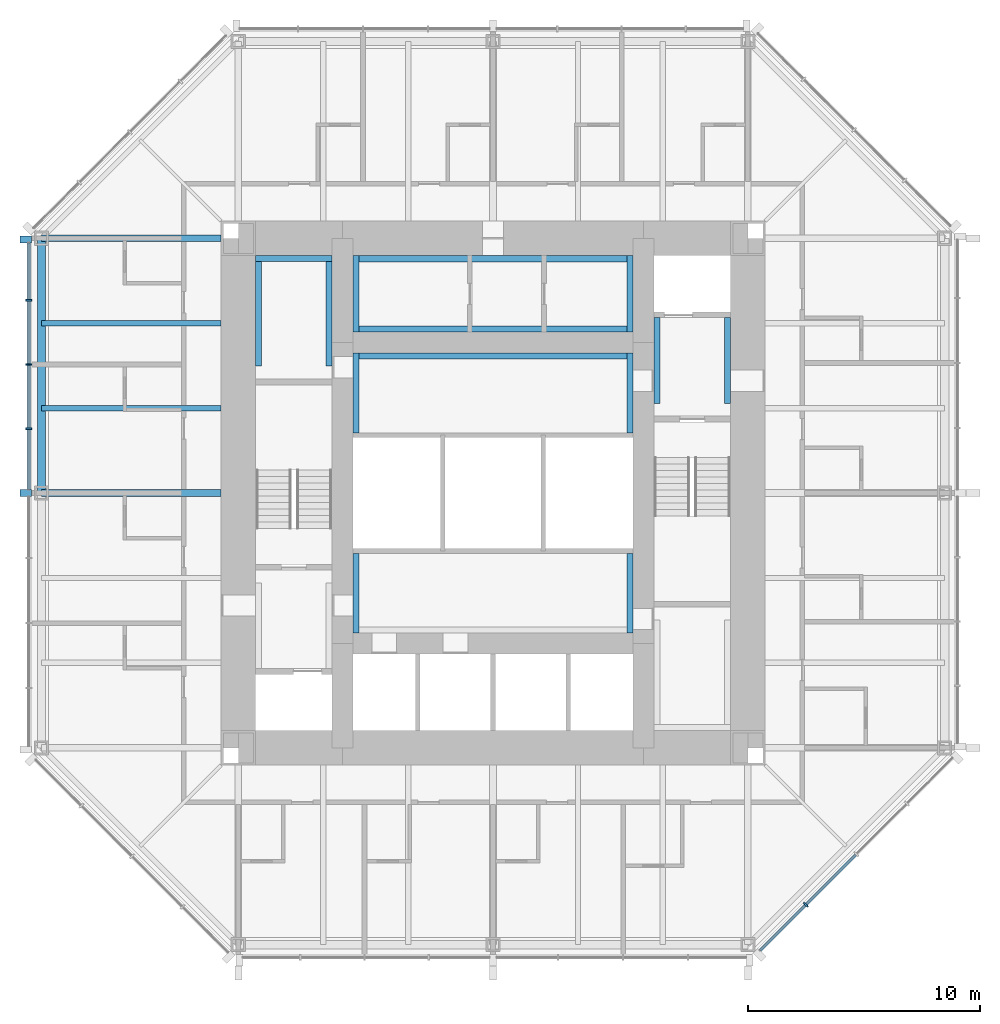
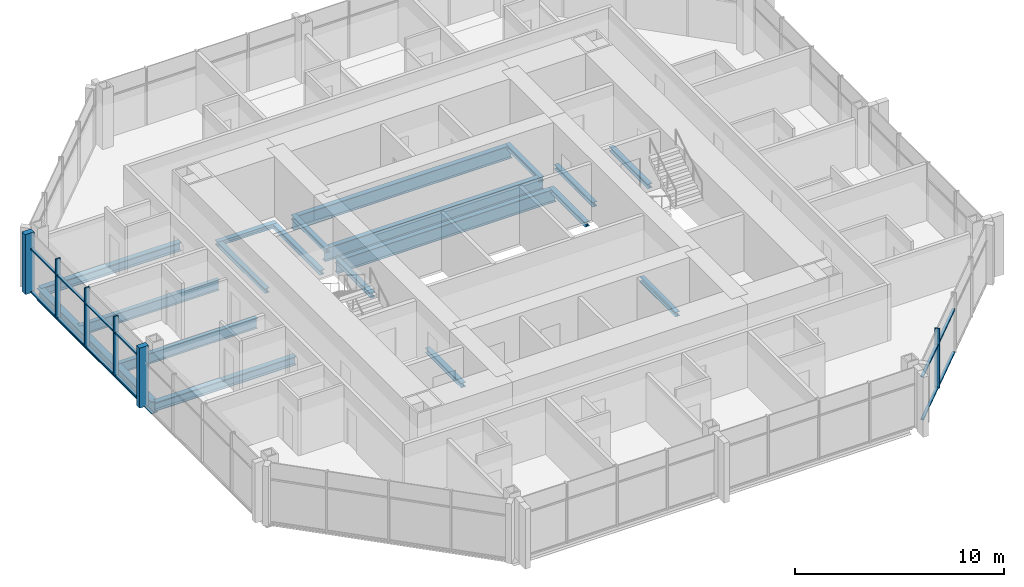
# One storey, part 3 of 12: 19 beams, 18 members, 2 elements without a shape of their own.
"""IFC4 building model written with IfcOpenShell, lengths in metres."""

from ifc_helpers import new_model, si_unit, direction, frame, origin, origin_2d, place, context, subcontext, project, spatial, rectangle, i_section, extrude, material, material_profile, profile_set, type_object, element, aggregate, save


model = new_model("IFC4")

# Units and contexts
model_context = context("Model", 3, precision=1e-05, world=origin(), true_north=direction((0.0, 1.0)))
body_context = subcontext(model_context, "Body", "Model", "MODEL_VIEW")
ifc_project = project(units=[si_unit("LENGTHUNIT", "METRE"), si_unit("AREAUNIT", "SQUARE_METRE"), si_unit("VOLUMEUNIT", "CUBIC_METRE"), si_unit("PLANEANGLEUNIT", "RADIAN"), si_unit("MASSUNIT", "GRAM", prefix="KILO")], contexts=[model_context])

# Site, building, storey
site_placement = place(None, origin())
site = spatial("IfcSite", under=ifc_project, at=site_placement, CompositionType="ELEMENT")
building_placement = place(site_placement, origin())
building = spatial("IfcBuilding", under=site, at=building_placement, Name="Trevanion Tower", CompositionType="ELEMENT")
storey_placement = place(building_placement, frame((0.0, 0.0, 190.699951171875)))
storey = spatial("IfcBuildingStorey", under=building, at=storey_placement, Name="L44", CompositionType="ELEMENT", Elevation=190.699951171875)

# Beams
ifc_material_1 = material(Name="Steel ASTM A992 Grade 50", Category="steel")
ifc_material_profile_1 = material_profile(ifc_material_1, i_section(OverallWidth=0.228271484375, OverallDepth=0.607177734375, WebThickness=0.01123046875, FlangeThickness=0.017333984375, at=origin_2d()), Name="W24X76")
ifc_profile_set_1 = profile_set([ifc_material_profile_1], Name="Steel ASTM A992 Grade 50")
beam_type_1 = type_object("IfcBeamType", Name="B11 W24X76", PredefinedType="BEAM", material=ifc_profile_set_1)
for number, where, z_axis, x_axis, name in (
    (1, (-11.75, 7.333251953125, -0.493408203125), (-1.0, 0.0, 0.0), (0.0, -1.0, 0.0), "B11 L44"),
    (2, (-11.75, 3.666748046875, -0.493408203125), (-1.0, 0.0, 0.0), (0.0, -1.0, 0.0), "B11 L44"),
):
    element("IfcBeam", number, at=place(storey_placement, frame(where, z_axis=z_axis, x_axis=x_axis)), inside=storey, type_object=beam_type_1, Name=name, PredefinedType="BEAM", context=body_context, shape_type="SweptSolid", body=[
        extrude(i_section(OverallWidth=0.228271484375, OverallDepth=0.607177734375, WebThickness=0.01123046875, FlangeThickness=0.017333984375, at=origin_2d()), origin(), (0.0, 0.0, 1.0), 7.75),
    ])

# Curtain wall, members
ifc_material_2 = material(Name="Aluminium and glass", Category="aluminium")
curtain_wall_type = type_object("IfcCurtainWallType", Name="CW3 curtain wall", PredefinedType="USERDEFINED", material=ifc_material_2)
curtain_wall_1_placement = place(storey_placement, origin())
curtain_wall_1 = element("IfcCurtainWall", 3, at=curtain_wall_1_placement, inside=storey, type_object=curtain_wall_type, Name="CW3 L44 4", ObjectType="UNITISED CURTAIN WALL", PredefinedType="USERDEFINED")
ifc_material_3 = material(Name="Aluminium extrusion, anodised bronze", Category="aluminium")
ifc_material_profile_2 = material_profile(ifc_material_3, rectangle(XDim=0.074951171875, YDim=0.25, at=origin_2d()), Name="CW3 mullion")
ifc_profile_set_2 = profile_set([ifc_material_profile_2], Name="Aluminium extrusion, anodised bronze")
member_type_1 = type_object("IfcMemberType", Name="CW3 mullion", PredefinedType="MULLION", material=ifc_profile_set_2)
member_1_placement = place(storey_placement, frame((-20.050048828125, 8.323486328125, -0.18994140625), z_axis=(0.0, 0.0, 1.0), x_axis=(0.0, -1.0, 0.0)))
member_1 = element("IfcMember", 4, at=member_1_placement, type_object=member_type_1, Name="CW3 mullion 2", PredefinedType="MULLION", context=body_context, shape_type="SweptSolid", body=[
    extrude(rectangle(XDim=0.074951171875, YDim=0.25, at=origin_2d()), origin(), (0.0, 0.0, 1.0), 3.5),
])
member_2_placement = place(storey_placement, frame((-20.050048828125, 5.548828125, -0.18994140625), z_axis=(0.0, 0.0, 1.0), x_axis=(0.0, -1.0, 0.0)))
member_2 = element("IfcMember", 5, at=member_2_placement, type_object=member_type_1, Name="CW3 mullion 3", PredefinedType="MULLION", context=body_context, shape_type="SweptSolid", body=[
    extrude(rectangle(XDim=0.074951171875, YDim=0.25, at=origin_2d()), origin(), (0.0, 0.0, 1.0), 3.5),
])
member_3_placement = place(storey_placement, frame((-20.050048828125, 2.7744140625, -0.18994140625), z_axis=(0.0, 0.0, 1.0), x_axis=(0.0, -1.0, 0.0)))
member_3 = element("IfcMember", 6, at=member_3_placement, type_object=member_type_1, Name="CW3 mullion 4", PredefinedType="MULLION", context=body_context, shape_type="SweptSolid", body=[
    extrude(rectangle(XDim=0.074951171875, YDim=0.25, at=origin_2d()), origin(), (0.0, 0.0, 1.0), 3.5),
])

# Curtain wall, member
curtain_wall_2_placement = place(storey_placement, origin())
curtain_wall_2 = element("IfcCurtainWall", 7, at=curtain_wall_2_placement, inside=storey, type_object=curtain_wall_type, Name="CW3 L44 7", ObjectType="UNITISED CURTAIN WALL", PredefinedType="USERDEFINED")
member_4_placement = place(storey_placement, frame((13.502197265625, -17.775390625, -0.18994140625), z_axis=(0.0, 0.0, 1.0), x_axis=(0.707106781187, 0.707106781187, 0.0)))
member_4 = element("IfcMember", 8, at=member_4_placement, type_object=member_type_1, Name="CW3 mullion 2", PredefinedType="MULLION", context=body_context, shape_type="SweptSolid", body=[
    extrude(rectangle(XDim=0.074951171875, YDim=0.25, at=origin_2d()), origin(), (0.0, 0.0, 1.0), 3.5),
])

# Member
ifc_material_4 = material(Name="Aluminium extrusion, anodised bronze", Category="aluminium")
ifc_material_profile_3 = material_profile(ifc_material_4, rectangle(XDim=0.300048828125, YDim=0.5, at=origin_2d()), Name="CW3 pier mullion")
ifc_profile_set_3 = profile_set([ifc_material_profile_3], Name="Aluminium extrusion, anodised bronze")
member_type_2 = type_object("IfcMemberType", Name="CW3 pier mullion", PredefinedType="MULLION", material=ifc_profile_set_3)
member_5_placement = place(storey_placement, frame((-20.175048828125, 10.94775390625, -0.18994140625), z_axis=(0.0, 0.0, 1.0), x_axis=(0.0, -1.0, 0.0)))
member_5 = element("IfcMember", 9, at=member_5_placement, type_object=member_type_2, Name="CW3 pier mullion 1", PredefinedType="MULLION", context=body_context, shape_type="SweptSolid", body=[
    extrude(rectangle(XDim=0.300048828125, YDim=0.5, at=origin_2d()), origin(), (0.0, 0.0, 1.0), 3.5),
])

member_6_placement = place(storey_placement, frame((-20.175048828125, 0.0, -0.18994140625), z_axis=(0.0, 0.0, 1.0), x_axis=(0.0, -1.0, 0.0)))
member_6 = element("IfcMember", 10, at=member_6_placement, type_object=member_type_2, Name="CW3 pier mullion 5", PredefinedType="MULLION", context=body_context, shape_type="SweptSolid", body=[
    extrude(rectangle(XDim=0.300048828125, YDim=0.5, at=origin_2d()), origin(), (0.0, 0.0, 1.0), 3.5),
])

ifc_material_5 = material(Name="Aluminium extrusion, anodised bronze", Category="aluminium")
ifc_material_profile_4 = material_profile(ifc_material_5, rectangle(XDim=0.14990234375, YDim=0.074951171875, at=origin_2d()), Name="CW3 transom")
ifc_profile_set_4 = profile_set([ifc_material_profile_4], Name="Aluminium extrusion, anodised bronze")
member_type_3 = type_object("IfcMemberType", Name="CW3 transom", PredefinedType="USERDEFINED", material=ifc_profile_set_4)
member_7_placement = place(storey_placement, frame((-20.050048828125, 10.7978515625, -0.15234375), z_axis=(0.0, -1.0, 0.0), x_axis=(1.0, 0.0, 0.0)))
member_7 = element("IfcMember", 11, at=member_7_placement, type_object=member_type_3, Name="CW3 transom 1.1", ObjectType="TRANSOM", PredefinedType="USERDEFINED", context=body_context, shape_type="SweptSolid", body=[
    extrude(rectangle(XDim=0.14990234375, YDim=0.074951171875, at=origin_2d()), origin(), (0.0, 0.0, 1.0), 2.43701171875),
])

member_8_placement = place(storey_placement, frame((-20.050048828125, 10.7978515625, 2.360107421875), z_axis=(0.0, -1.0, 0.0), x_axis=(1.0, 0.0, 0.0)))
member_8 = element("IfcMember", 12, at=member_8_placement, type_object=member_type_3, Name="CW3 transom 1.2", ObjectType="TRANSOM", PredefinedType="USERDEFINED", context=body_context, shape_type="SweptSolid", body=[
    extrude(rectangle(XDim=0.14990234375, YDim=0.074951171875, at=origin_2d()), origin(), (0.0, 0.0, 1.0), 2.43701171875),
])

member_9_placement = place(storey_placement, frame((-20.050048828125, 8.285888671875, -0.15234375), z_axis=(0.0, -1.0, 0.0), x_axis=(1.0, 0.0, 0.0)))
member_9 = element("IfcMember", 13, at=member_9_placement, type_object=member_type_3, Name="CW3 transom 2.1", ObjectType="TRANSOM", PredefinedType="USERDEFINED", context=body_context, shape_type="SweptSolid", body=[
    extrude(rectangle(XDim=0.14990234375, YDim=0.074951171875, at=origin_2d()), origin(), (0.0, 0.0, 1.0), 2.699462890625),
])

member_10_placement = place(storey_placement, frame((-20.050048828125, 8.285888671875, 2.360107421875), z_axis=(0.0, -1.0, 0.0), x_axis=(1.0, 0.0, 0.0)))
member_10 = element("IfcMember", 14, at=member_10_placement, type_object=member_type_3, Name="CW3 transom 2.2", ObjectType="TRANSOM", PredefinedType="USERDEFINED", context=body_context, shape_type="SweptSolid", body=[
    extrude(rectangle(XDim=0.14990234375, YDim=0.074951171875, at=origin_2d()), origin(), (0.0, 0.0, 1.0), 2.699462890625),
])

member_11_placement = place(storey_placement, frame((-20.050048828125, 5.511474609375, -0.15234375), z_axis=(0.0, -1.0, 0.0), x_axis=(1.0, 0.0, 0.0)))
member_11 = element("IfcMember", 15, at=member_11_placement, type_object=member_type_3, Name="CW3 transom 3.1", ObjectType="TRANSOM", PredefinedType="USERDEFINED", context=body_context, shape_type="SweptSolid", body=[
    extrude(rectangle(XDim=0.14990234375, YDim=0.074951171875, at=origin_2d()), origin(), (0.0, 0.0, 1.0), 2.699462890625),
])

member_12_placement = place(storey_placement, frame((-20.050048828125, 5.511474609375, 2.360107421875), z_axis=(0.0, -1.0, 0.0), x_axis=(1.0, 0.0, 0.0)))
member_12 = element("IfcMember", 16, at=member_12_placement, type_object=member_type_3, Name="CW3 transom 3.2", ObjectType="TRANSOM", PredefinedType="USERDEFINED", context=body_context, shape_type="SweptSolid", body=[
    extrude(rectangle(XDim=0.14990234375, YDim=0.074951171875, at=origin_2d()), origin(), (0.0, 0.0, 1.0), 2.699462890625),
])

member_13_placement = place(storey_placement, frame((-20.050048828125, 2.737060546875, -0.15234375), z_axis=(0.0, -1.0, 0.0), x_axis=(1.0, 0.0, 0.0)))
member_13 = element("IfcMember", 17, at=member_13_placement, type_object=member_type_3, Name="CW3 transom 4.1", ObjectType="TRANSOM", PredefinedType="USERDEFINED", context=body_context, shape_type="SweptSolid", body=[
    extrude(rectangle(XDim=0.14990234375, YDim=0.074951171875, at=origin_2d()), origin(), (0.0, 0.0, 1.0), 2.587158203125),
])

member_14_placement = place(storey_placement, frame((-20.050048828125, 2.737060546875, 2.360107421875), z_axis=(0.0, -1.0, 0.0), x_axis=(1.0, 0.0, 0.0)))
member_14 = element("IfcMember", 18, at=member_14_placement, type_object=member_type_3, Name="CW3 transom 4.2", ObjectType="TRANSOM", PredefinedType="USERDEFINED", context=body_context, shape_type="SweptSolid", body=[
    extrude(rectangle(XDim=0.14990234375, YDim=0.074951171875, at=origin_2d()), origin(), (0.0, 0.0, 1.0), 2.587158203125),
])

aggregate(curtain_wall_1, [member_5, member_1, member_2, member_3, member_6, member_7, member_8, member_9, member_10, member_11, member_12, member_13, member_14])

member_15_placement = place(storey_placement, frame((11.531982421875, -19.745849609375, -0.15234375), z_axis=(0.707106781187, 0.707106781187, 0.0), x_axis=(-0.707106781187, 0.707106781187, 0.0)))
member_15 = element("IfcMember", 19, at=member_15_placement, type_object=member_type_3, Name="CW3 transom 1.1", ObjectType="TRANSOM", PredefinedType="USERDEFINED", context=body_context, shape_type="SweptSolid", body=[
    extrude(rectangle(XDim=0.14990234375, YDim=0.074951171875, at=origin_2d()), origin(), (0.0, 0.0, 1.0), 2.7490234375),
])

member_16_placement = place(storey_placement, frame((11.531982421875, -19.745849609375, 2.360107421875), z_axis=(0.707106781187, 0.707106781187, 0.0), x_axis=(-0.707106781187, 0.707106781187, 0.0)))
member_16 = element("IfcMember", 20, at=member_16_placement, type_object=member_type_3, Name="CW3 transom 1.2", ObjectType="TRANSOM", PredefinedType="USERDEFINED", context=body_context, shape_type="SweptSolid", body=[
    extrude(rectangle(XDim=0.14990234375, YDim=0.074951171875, at=origin_2d()), origin(), (0.0, 0.0, 1.0), 2.7490234375),
])

member_17_placement = place(storey_placement, frame((13.52880859375, -17.7490234375, -0.15234375), z_axis=(0.707106781187, 0.707106781187, 0.0), x_axis=(-0.707106781187, 0.707106781187, 0.0)))
member_17 = element("IfcMember", 21, at=member_17_placement, type_object=member_type_3, Name="CW3 transom 2.1", ObjectType="TRANSOM", PredefinedType="USERDEFINED", context=body_context, shape_type="SweptSolid", body=[
    extrude(rectangle(XDim=0.14990234375, YDim=0.074951171875, at=origin_2d()), origin(), (0.0, 0.0, 1.0), 3.01171875),
])

member_18_placement = place(storey_placement, frame((13.52880859375, -17.7490234375, 2.360107421875), z_axis=(0.707106781187, 0.707106781187, 0.0), x_axis=(-0.707106781187, 0.707106781187, 0.0)))
member_18 = element("IfcMember", 22, at=member_18_placement, type_object=member_type_3, Name="CW3 transom 2.2", ObjectType="TRANSOM", PredefinedType="USERDEFINED", context=body_context, shape_type="SweptSolid", body=[
    extrude(rectangle(XDim=0.14990234375, YDim=0.074951171875, at=origin_2d()), origin(), (0.0, 0.0, 1.0), 3.01171875),
])

aggregate(curtain_wall_2, [member_4, member_15, member_16, member_17, member_18])

# Beams
ifc_material_6 = material(Name="Steel ASTM A992 Grade 50", Category="steel")
ifc_material_profile_5 = material_profile(ifc_material_6, i_section(OverallWidth=0.28955078125, OverallDepth=0.508056640625, WebThickness=0.022705078125, FlangeThickness=0.040283203125, at=origin_2d()), Name="W18X175")
ifc_profile_set_5 = profile_set([ifc_material_profile_5], Name="Steel ASTM A992 Grade 50")
beam_type_2 = type_object("IfcBeamType", Name="G6 W18X175", PredefinedType="BEAM", material=ifc_profile_set_5)
for number, where, z_axis, x_axis, name in (
    (23, (-11.75, 11.0, -0.44384765625), (-1.0, 0.0, 0.0), (0.0, -1.0, 0.0), "G6 L44"),
    (24, (-11.75, 0.0, -0.44384765625), (-1.0, 0.0, 0.0), (0.0, -1.0, 0.0), "G6 L44"),
):
    element("IfcBeam", number, at=place(storey_placement, frame(where, z_axis=z_axis, x_axis=x_axis)), inside=storey, type_object=beam_type_2, Name=name, PredefinedType="BEAM", context=body_context, shape_type="SweptSolid", body=[
        extrude(i_section(OverallWidth=0.28955078125, OverallDepth=0.508056640625, WebThickness=0.022705078125, FlangeThickness=0.040283203125, at=origin_2d()), origin(), (0.0, 0.0, 1.0), 7.75),
    ])
ifc_material_7 = material(Name="Steel ASTM A992 Grade 50", Category="steel")
ifc_material_profile_6 = material_profile(ifc_material_7, i_section(OverallWidth=0.256591796875, OverallDepth=0.26416015625, WebThickness=0.011962890625, FlangeThickness=0.01953125, at=origin_2d()), Name="W10X68")
ifc_profile_set_6 = profile_set([ifc_material_profile_6], Name="Steel ASTM A992 Grade 50")
beam_type_3 = type_object("IfcBeamType", Name="LB1 W10X68", PredefinedType="BEAM", material=ifc_profile_set_6)
for number, where, z_axis, x_axis, name in (
    (25, (-5.921630859375, 2.60009765625, -0.33203125), (0.0, 1.0, 0.0), (-1.0, 0.0, 0.0), "LB1 L44"),
    (26, (5.921630859375, 2.60009765625, -0.33203125), (0.0, 1.0, 0.0), (-1.0, 0.0, 0.0), "LB1 L44"),
    (27, (-5.921630859375, -6.050048828125, -0.33203125), (0.0, 1.0, 0.0), (-1.0, 0.0, 0.0), "LB1 L44"),
    (28, (5.921630859375, -6.050048828125, -0.33203125), (0.0, 1.0, 0.0), (-1.0, 0.0, 0.0), "LB1 L44"),
):
    element("IfcBeam", number, at=place(storey_placement, frame(where, z_axis=z_axis, x_axis=x_axis)), inside=storey, type_object=beam_type_3, Name=name, PredefinedType="BEAM", context=body_context, shape_type="SweptSolid", body=[
        extrude(i_section(OverallWidth=0.256591796875, OverallDepth=0.26416015625, WebThickness=0.011962890625, FlangeThickness=0.01953125, at=origin_2d()), origin(), (0.0, 0.0, 1.0), 3.449951171875),
    ])
for number, where, z_axis, x_axis, name in (
    (29, (7.078369140625, 3.875, -0.33203125), (0.0, 1.0, 0.0), (-1.0, 0.0, 0.0), "LB1 L44"),
    (30, (10.12158203125, 3.875, -0.33203125), (0.0, 1.0, 0.0), (-1.0, 0.0, 0.0), "LB1 L44"),
):
    element("IfcBeam", number, at=place(storey_placement, frame(where, z_axis=z_axis, x_axis=x_axis)), inside=storey, type_object=beam_type_3, Name=name, PredefinedType="BEAM", context=body_context, shape_type="SweptSolid", body=[
        extrude(i_section(OverallWidth=0.256591796875, OverallDepth=0.26416015625, WebThickness=0.011962890625, FlangeThickness=0.01953125, at=origin_2d()), origin(), (0.0, 0.0, 1.0), 3.699951171875),
    ])
for number, where, z_axis, x_axis, name in (
    (31, (-10.12158203125, 5.47509765625, -0.33203125), (0.0, 1.0, 0.0), (-1.0, 0.0, 0.0), "LB1 L44"),
    (32, (-7.078369140625, 5.47509765625, -0.33203125), (0.0, 1.0, 0.0), (-1.0, 0.0, 0.0), "LB1 L44"),
):
    element("IfcBeam", number, at=place(storey_placement, frame(where, z_axis=z_axis, x_axis=x_axis)), inside=storey, type_object=beam_type_3, Name=name, PredefinedType="BEAM", context=body_context, shape_type="SweptSolid", body=[
        extrude(i_section(OverallWidth=0.256591796875, OverallDepth=0.26416015625, WebThickness=0.011962890625, FlangeThickness=0.01953125, at=origin_2d()), origin(), (0.0, 0.0, 1.0), 4.77490234375),
    ])
for number, where, z_axis, x_axis, name in (
    (33, (-10.25, 10.12158203125, -0.33203125), (1.0, 0.0, 0.0), (0.0, 1.0, 0.0), "LB1 L44"),
    (34, (-5.921630859375, 6.949951171875, -0.33203125), (0.0, 1.0, 0.0), (-1.0, 0.0, 0.0), "LB1 L44"),
    (35, (5.921630859375, 6.949951171875, -0.33203125), (0.0, 1.0, 0.0), (-1.0, 0.0, 0.0), "LB1 L44"),
):
    element("IfcBeam", number, at=place(storey_placement, frame(where, z_axis=z_axis, x_axis=x_axis)), inside=storey, type_object=beam_type_3, Name=name, PredefinedType="BEAM", context=body_context, shape_type="SweptSolid", body=[
        extrude(i_section(OverallWidth=0.256591796875, OverallDepth=0.26416015625, WebThickness=0.011962890625, FlangeThickness=0.01953125, at=origin_2d()), origin(), (0.0, 0.0, 1.0), 3.300048828125),
    ])
ifc_material_8 = material(Name="Steel ASTM A992 Grade 50", Category="steel")
ifc_material_profile_7 = material_profile(ifc_material_8, i_section(OverallWidth=0.2666015625, OverallDepth=0.76953125, WebThickness=0.015625, FlangeThickness=0.025390625, at=origin_2d()), Name="W30X132")
ifc_profile_set_7 = profile_set([ifc_material_profile_7], Name="Steel ASTM A992 Grade 50")
beam_type_4 = type_object("IfcBeamType", Name="LB3 W30X132", PredefinedType="BEAM", material=ifc_profile_set_7)
for number, where, z_axis, x_axis, name in (
    (36, (-6.050048828125, 5.91650390625, -0.584716796875), (1.0, 0.0, 0.0), (0.0, 1.0, 0.0), "LB3 L44"),
    (37, (-6.050048828125, 7.08349609375, -0.584716796875), (1.0, 0.0, 0.0), (0.0, 1.0, 0.0), "LB3 L44"),
    (38, (-6.050048828125, 10.11669921875, -0.584716796875), (1.0, 0.0, 0.0), (0.0, 1.0, 0.0), "LB3 L44"),
):
    element("IfcBeam", number, at=place(storey_placement, frame(where, z_axis=z_axis, x_axis=x_axis)), inside=storey, type_object=beam_type_4, Name=name, PredefinedType="BEAM", context=body_context, shape_type="SweptSolid", body=[
        extrude(i_section(OverallWidth=0.2666015625, OverallDepth=0.76953125, WebThickness=0.015625, FlangeThickness=0.025390625, at=origin_2d()), origin(), (0.0, 0.0, 1.0), 12.10009765625),
    ])
ifc_material_9 = material(Name="Steel ASTM A992 Grade 50", Category="steel")
ifc_material_profile_8 = material_profile(ifc_material_9, i_section(OverallWidth=0.355712890625, OverallDepth=0.696044921875, WebThickness=0.015380859375, FlangeThickness=0.024658203125, at=origin_2d()), Name="W27X146")
ifc_profile_set_8 = profile_set([ifc_material_profile_8], Name="Steel ASTM A992 Grade 50")
beam_type_5 = type_object("IfcBeamType", Name="SB8 W27X146", PredefinedType="SPANDREL", material=ifc_profile_set_8)
beam_placement = place(storey_placement, frame((-19.5, 11.0, -0.537841796875), z_axis=(0.0, -1.0, 0.0), x_axis=(1.0, 0.0, 0.0)))
element("IfcBeam", 39, at=beam_placement, inside=storey, type_object=beam_type_5, Name="SB8 L44", PredefinedType="SPANDREL", context=body_context, shape_type="SweptSolid", body=[
    extrude(i_section(OverallWidth=0.355712890625, OverallDepth=0.696044921875, WebThickness=0.015380859375, FlangeThickness=0.024658203125, at=origin_2d()), origin(), (0.0, 0.0, 1.0), 11.0),
])

save(model, "model.ifc")
